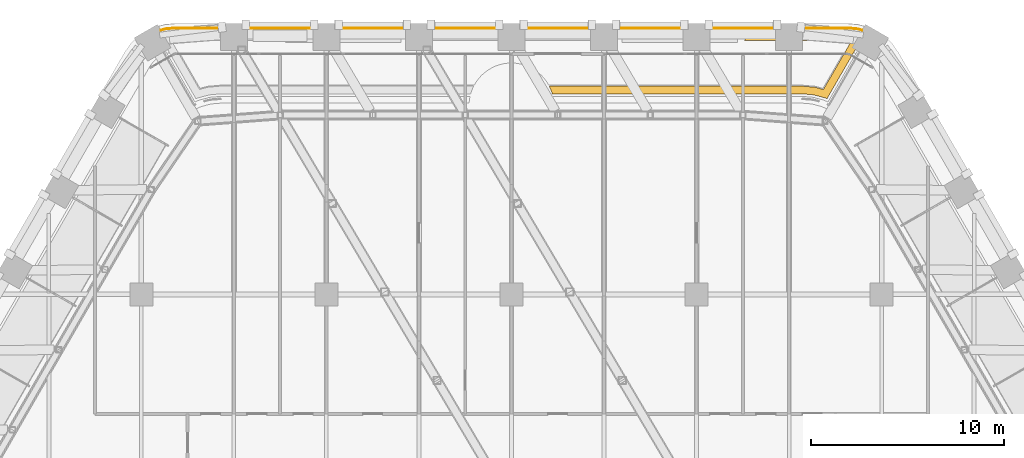
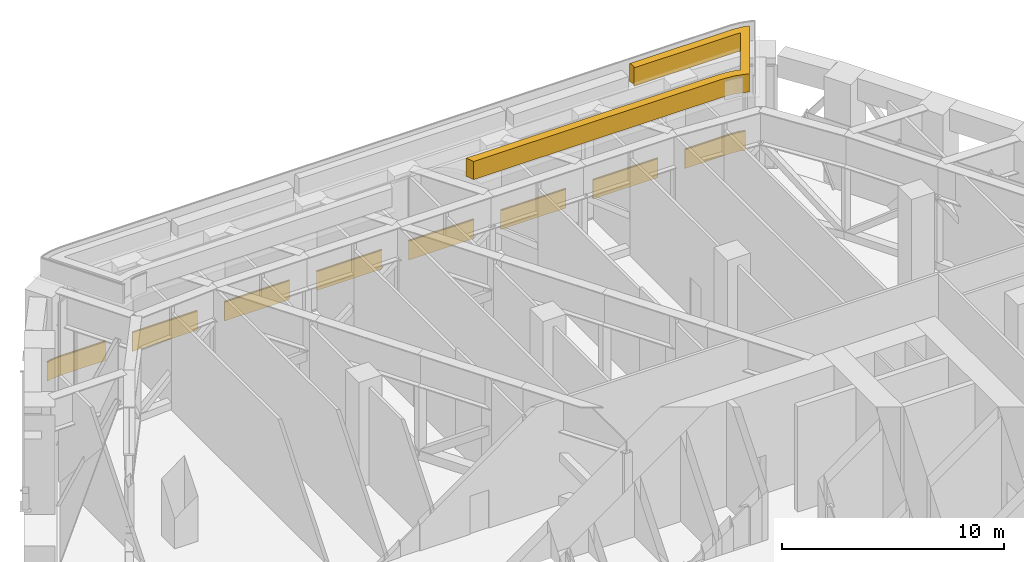
# One storey, part 35 of 35: 1 covering, 1 railing.
"""IFC4 building model written with IfcOpenShell, lengths in metres."""

from ifc_helpers import new_model, si_unit, direction, frame, frame_2d, origin, origin_2d, place, context, subcontext, project, spatial, polyline, rectangle, outline, extrude, material, layer, layer_set, type_object, element, save


model = new_model("IFC4")

# Units and contexts
model_context = context("Model", 3, precision=1e-05, world=origin(), true_north=direction((0.0, 1.0)))
body_context = subcontext(model_context, "Body", "Model", "MODEL_VIEW")
ifc_project = project(units=[si_unit("LENGTHUNIT", "METRE"), si_unit("AREAUNIT", "SQUARE_METRE"), si_unit("VOLUMEUNIT", "CUBIC_METRE"), si_unit("PLANEANGLEUNIT", "RADIAN"), si_unit("MASSUNIT", "GRAM", prefix="KILO")], contexts=[model_context])

# Site, building, storey
site_placement = place(None, origin())
site = spatial("IfcSite", under=ifc_project, at=site_placement, CompositionType="ELEMENT")
building_placement = place(site_placement, origin())
building = spatial("IfcBuilding", under=site, at=building_placement, Name="Kolab Exchange Tower", CompositionType="ELEMENT")
storey_placement = place(building_placement, frame((0.0, 0.0, 71.89990234375)))
storey = spatial("IfcBuildingStorey", under=building, at=storey_placement, Name="L13", CompositionType="ELEMENT", Elevation=71.89990234375)

# Railing
ifc_material_1 = material(Name="Steel S235", Category="steel")
railing_type = type_object("IfcRailingType", Name="GUARD 1100 GLASS BALUSTRADE AND STEEL TOP RAIL", PredefinedType="GUARDRAIL", material=ifc_material_1)
railing_placement = place(storey_placement, frame((18.1953125, 32.896728515625, 0.0)))
element("IfcRailing", 1, at=railing_placement, inside=storey, type_object=railing_type, Name="Guard", PredefinedType="GUARDRAIL", context=body_context, shape_type="SweptSolid", body=[
    extrude(rectangle(XDim=0.05, YDim=0.05, at=origin_2d()), frame((0.0, 0.0, 1.0751953125), z_axis=(-0.965952265455, 0.258720352624, 0.0), x_axis=(-0.258720352624, -0.965952265455, 0.0)), (0.0, 0.0, 1.0), 0.258544921875),
    extrude(rectangle(XDim=0.012, YDim=1.05009765625, at=frame_2d((0.0, 0.525146484375))), frame((0.0, 0.0, 0.0), z_axis=(-0.965952265455, 0.258720352624, 0.0), x_axis=(-0.258720352624, -0.965952265455, 0.0)), (0.0, 0.0, 1.0), 0.258544921875),
    extrude(rectangle(XDim=0.05, YDim=0.05, at=origin_2d()), frame((-0.249755859375, 0.06689453125, 1.0751953125), z_axis=(-0.996200348447, 0.087091134757, 0.0), x_axis=(-0.087091134757, -0.996200348447, 0.0)), (0.0, 0.0, 1.0), 0.479248046875),
    extrude(rectangle(XDim=0.012, YDim=1.05009765625, at=frame_2d((0.0, 0.525146484375))), frame((-0.249755859375, 0.06689453125, 0.0), z_axis=(-0.996200348447, 0.087091134757, 0.0), x_axis=(-0.087091134757, -0.996200348447, 0.0)), (0.0, 0.0, 1.0), 0.479248046875),
    extrude(rectangle(XDim=0.05, YDim=0.05, at=origin_2d()), frame((-0.727294921875, 0.108642578125, 1.0751953125), z_axis=(-1.0, 0.0, 0.0), x_axis=(0.0, -1.0, 0.0)), (0.0, 0.0, 1.0), 2.367919921875),
    extrude(rectangle(XDim=0.012, YDim=1.05009765625, at=frame_2d((0.0, 0.525146484375))), frame((-0.727294921875, 0.108642578125, 0.0), z_axis=(-1.0, 0.0, 0.0), x_axis=(0.0, -1.0, 0.0)), (0.0, 0.0, 1.0), 2.367919921875),
    extrude(rectangle(XDim=0.05, YDim=0.05, at=origin_2d()), frame((-4.495361328125, 0.108642578125, 1.0751953125), z_axis=(-1.0, 0.0, 0.0), x_axis=(0.0, -1.0, 0.0)), (0.0, 0.0, 1.0), 3.39990234375),
    extrude(rectangle(XDim=0.012, YDim=1.05009765625, at=frame_2d((0.0, 0.525146484375))), frame((-4.495361328125, 0.108642578125, 0.0), z_axis=(-1.0, 0.0, 0.0), x_axis=(0.0, -1.0, 0.0)), (0.0, 0.0, 1.0), 3.39990234375),
    extrude(rectangle(XDim=0.05, YDim=0.05, at=origin_2d()), frame((-9.29541015625, 0.108642578125, 1.0751953125), z_axis=(-1.0, 0.0, 0.0), x_axis=(0.0, -1.0, 0.0)), (0.0, 0.0, 1.0), 3.39990234375),
    extrude(rectangle(XDim=0.012, YDim=1.05009765625, at=frame_2d((0.0, 0.525146484375))), frame((-9.29541015625, 0.108642578125, 0.0), z_axis=(-1.0, 0.0, 0.0), x_axis=(0.0, -1.0, 0.0)), (0.0, 0.0, 1.0), 3.39990234375),
    extrude(rectangle(XDim=0.05, YDim=0.05, at=origin_2d()), frame((-14.09521484375, 0.108642578125, 1.0751953125), z_axis=(-1.0, 0.0, 0.0), x_axis=(0.0, -1.0, 0.0)), (0.0, 0.0, 1.0), 3.400146484375),
    extrude(rectangle(XDim=0.012, YDim=1.05009765625, at=frame_2d((0.0, 0.525146484375))), frame((-14.09521484375, 0.108642578125, 0.0), z_axis=(-1.0, 0.0, 0.0), x_axis=(0.0, -1.0, 0.0)), (0.0, 0.0, 1.0), 3.400146484375),
    extrude(rectangle(XDim=0.05, YDim=0.05, at=origin_2d()), frame((-18.895263671875, 0.108642578125, 1.0751953125), z_axis=(-1.0, 0.0, 0.0), x_axis=(0.0, -1.0, 0.0)), (0.0, 0.0, 1.0), 3.400146484375),
    extrude(rectangle(XDim=0.012, YDim=1.05009765625, at=frame_2d((0.0, 0.525146484375))), frame((-18.895263671875, 0.108642578125, 0.0), z_axis=(-1.0, 0.0, 0.0), x_axis=(0.0, -1.0, 0.0)), (0.0, 0.0, 1.0), 3.400146484375),
    extrude(rectangle(XDim=0.05, YDim=0.05, at=origin_2d()), frame((-23.6953125, 0.108642578125, 1.0751953125), z_axis=(-1.0, 0.0, 0.0), x_axis=(0.0, -1.0, 0.0)), (0.0, 0.0, 1.0), 3.39990234375),
    extrude(rectangle(XDim=0.012, YDim=1.05009765625, at=frame_2d((0.0, 0.525146484375))), frame((-23.6953125, 0.108642578125, 0.0), z_axis=(-1.0, 0.0, 0.0), x_axis=(0.0, -1.0, 0.0)), (0.0, 0.0, 1.0), 3.39990234375),
    extrude(rectangle(XDim=0.05, YDim=0.05, at=origin_2d()), frame((-28.495361328125, 0.108642578125, 1.0751953125), z_axis=(-1.0, 0.0, 0.0), x_axis=(0.0, -1.0, 0.0)), (0.0, 0.0, 1.0), 3.39990234375),
    extrude(rectangle(XDim=0.012, YDim=1.05009765625, at=frame_2d((0.0, 0.525146484375))), frame((-28.495361328125, 0.108642578125, 0.0), z_axis=(-1.0, 0.0, 0.0), x_axis=(0.0, -1.0, 0.0)), (0.0, 0.0, 1.0), 3.39990234375),
    extrude(rectangle(XDim=0.05, YDim=0.05, at=origin_2d()), frame((-33.29541015625, 0.108642578125, 1.0751953125), z_axis=(-1.0, 0.0, 0.0), x_axis=(0.0, -1.0, 0.0)), (0.0, 0.0, 1.0), 2.367919921875),
    extrude(rectangle(XDim=0.012, YDim=1.05009765625, at=frame_2d((0.0, 0.525146484375))), frame((-33.29541015625, 0.108642578125, 0.0), z_axis=(-1.0, 0.0, 0.0), x_axis=(0.0, -1.0, 0.0)), (0.0, 0.0, 1.0), 2.367919921875),
    extrude(rectangle(XDim=0.05, YDim=0.05, at=origin_2d()), frame((-35.663330078125, 0.108642578125, 1.0751953125), z_axis=(-0.996200348447, -0.087091134757, 0.0), x_axis=(0.087091134757, -0.996200348447, 0.0)), (0.0, 0.0, 1.0), 0.479248046875),
    extrude(rectangle(XDim=0.012, YDim=1.05009765625, at=frame_2d((0.0, 0.525146484375))), frame((-35.663330078125, 0.108642578125, 0.0), z_axis=(-0.996200348447, -0.087091134757, 0.0), x_axis=(0.087091134757, -0.996200348447, 0.0)), (0.0, 0.0, 1.0), 0.479248046875),
    extrude(rectangle(XDim=0.05, YDim=0.05, at=origin_2d()), frame((-36.140869140625, 0.06689453125, 1.0751953125), z_axis=(-0.965952265455, -0.258720352624, 0.0), x_axis=(0.258720352624, -0.965952265455, 0.0)), (0.0, 0.0, 1.0), 0.258544921875),
    extrude(rectangle(XDim=0.012, YDim=1.05009765625, at=frame_2d((0.0, 0.525146484375))), frame((-36.140869140625, 0.06689453125, 0.0), z_axis=(-0.965952265455, -0.258720352624, 0.0), x_axis=(0.258720352624, -0.965952265455, 0.0)), (0.0, 0.0, 1.0), 0.258544921875),
])

# Covering
ifc_material_2 = material(Name="Terrace hedge planting", Category="soil")
ifc_layer = layer(ifc_material_2, 1.0)
ifc_layer_set = layer_set([ifc_layer], Name="Terrace hedge planting")
covering_type = type_object("IfcCoveringType", Name="TERRACE HEDGE 1000 X 400", PredefinedType="USERDEFINED", material=ifc_layer_set)
covering_placement = place(storey_placement, frame((0.0, 0.0, 6.0)))
element("IfcCovering", 2, at=covering_placement, inside=storey, type_object=covering_type, Name="Terrace hedge", ObjectType="PLANTING", PredefinedType="USERDEFINED", context=body_context, shape_type="SweptSolid", body=[
    extrude(outline(polyline([(17.446044921875, 32.75537109375), (17.90185546875, 32.715576171875), (18.256103515625, 32.62060546875), (16.364013671875, 29.34326171875), (16.265625, 29.38916015625), (15.676025390625, 29.547119140625), (15.08984375, 29.598388671875), (2.114990234375, 29.598388671875), (2.105224609375, 29.636962890625), (2.032470703125, 29.84033203125), (1.957763671875, 29.99853515625), (15.107177734375, 29.99853515625), (15.745849609375, 29.942626953125), (16.180908203125, 29.825927734375), (17.630859375, 32.337646484375), (17.4287109375, 32.35546875), (12.079833984375, 32.35546875), (12.086669921875, 32.36669921875), (12.103515625, 32.40234375), (12.11669921875, 32.439208984375), (12.126220703125, 32.477294921875), (12.132080078125, 32.51611328125), (12.134033203125, 32.555419921875), (12.132080078125, 32.594482421875), (12.126220703125, 32.63330078125), (12.11669921875, 32.67138671875), (12.103515625, 32.70849609375), (12.086669921875, 32.743896484375), (12.079833984375, 32.75537109375), (17.446044921875, 32.75537109375)])), origin(), (0.0, 0.0, 1.0), 1.0),
])

save(model, "model.ifc")
